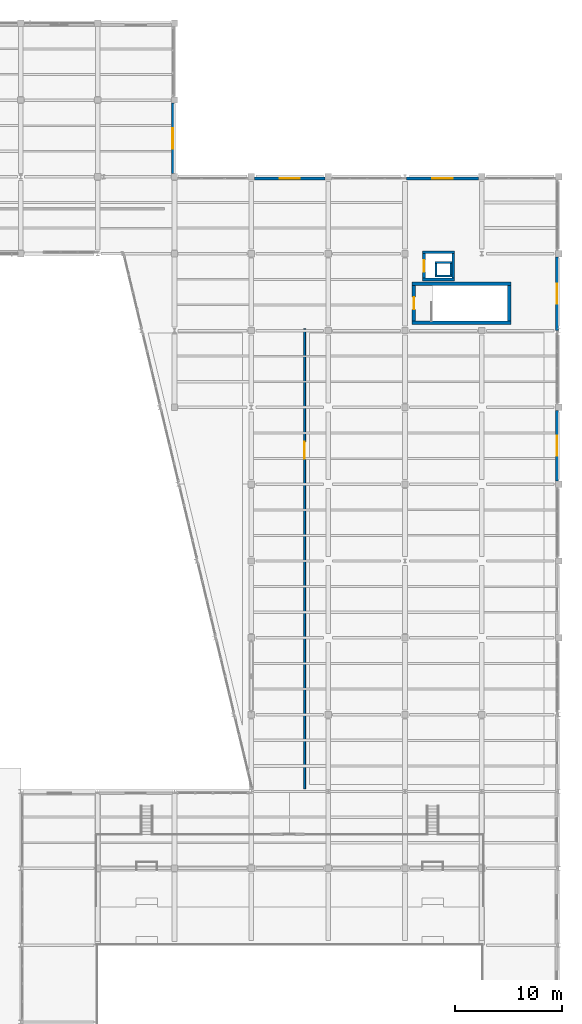
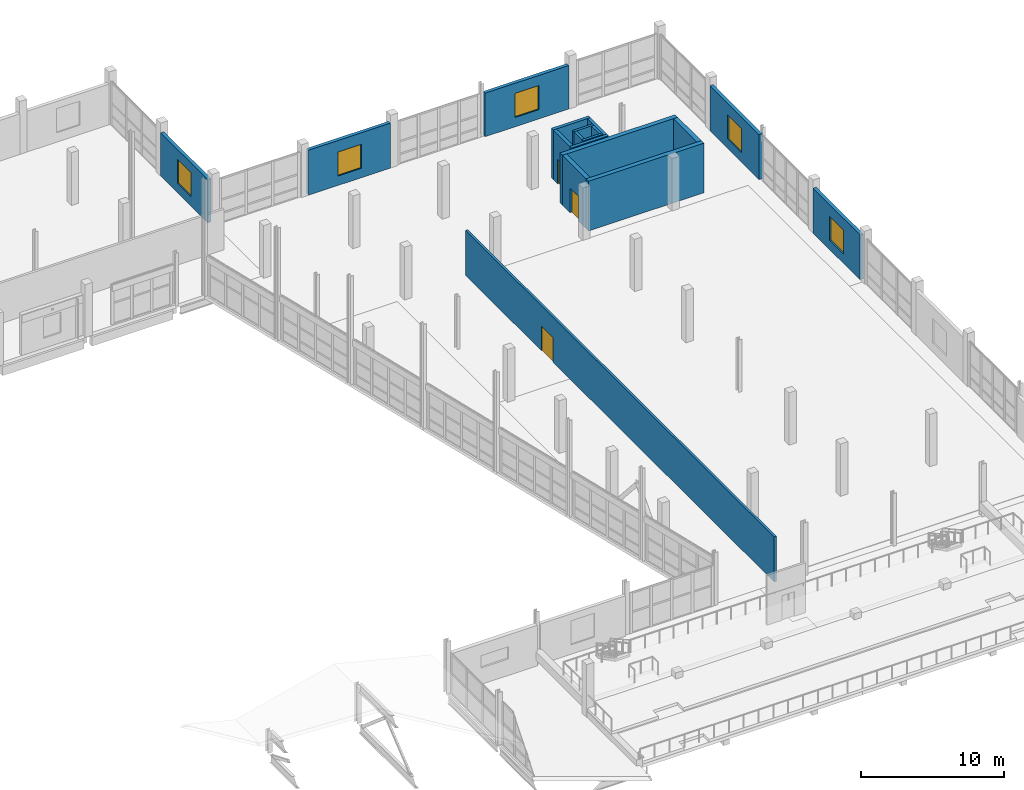
# One storey, part 98 of 123: 18 walls, 5 windows, 3 doors, 8 openings.
"""IFC4 building model written with IfcOpenShell, lengths in metres."""

from ifc_helpers import new_model, si_unit, direction, frame, frame_2d, origin, place, context, subcontext, project, spatial, rectangle, extrude, material, layer, layer_set, type_object, element, fill, save


model = new_model("IFC4")

# Units and contexts
model_context = context("Model", 3, precision=1e-05, world=origin(), true_north=direction((0.0, 1.0)))
body_context = subcontext(model_context, "Body", "Model", "MODEL_VIEW")
ifc_project = project(units=[si_unit("LENGTHUNIT", "METRE"), si_unit("AREAUNIT", "SQUARE_METRE"), si_unit("VOLUMEUNIT", "CUBIC_METRE"), si_unit("PLANEANGLEUNIT", "RADIAN"), si_unit("MASSUNIT", "GRAM", prefix="KILO")], contexts=[model_context])

# Site, building, storey
site_placement = place(None, origin())
site = spatial("IfcSite", under=ifc_project, at=site_placement, CompositionType="ELEMENT")
building_placement = place(site_placement, origin())
building = spatial("IfcBuilding", under=site, at=building_placement, Name="Kalmorath City Hall", CompositionType="ELEMENT")
storey_placement = place(building_placement, frame((0.0, 0.0, 10.199951171875)))
storey = spatial("IfcBuildingStorey", under=building, at=storey_placement, Name="L02", CompositionType="ELEMENT", Elevation=10.199951171875)

# Walls
ifc_material_1 = material(Name="Concrete C50/60", Category="concrete")
ifc_layer_1 = layer(ifc_material_1, 0.35009765625)
ifc_layer_set_1 = layer_set([ifc_layer_1], Name="Concrete C50/60")
wall_type_1 = type_object("IfcWallType", Name="Concrete core shear wall 350", PredefinedType="SHEAR", material=ifc_layer_set_1)
for number, where, z_axis, x_axis, name in (
    (1, (151.85009765625, 87.125, 0.0), (0.0, 0.0, 1.0), (1.0, 0.0, 0.0), "L02 C6 stair core shear wall S"),
    (2, (161.14990234375, 90.77490234375, 0.0), (0.0, 0.0, 1.0), (-1.0, 0.0, 0.0), "L02 C6 stair core shear wall N"),
):
    element("IfcWall", number, at=place(storey_placement, frame(where, z_axis=z_axis, x_axis=x_axis)), inside=storey, type_object=wall_type_1, Name=name, PredefinedType="SHEAR", context=body_context, shape_type="SweptSolid", body=[
        extrude(rectangle(XDim=9.2998046875, YDim=0.35009765625, at=frame_2d((4.64990234375, 0.0))), origin(), (0.0, 0.0, 1.0), 4.239990234375),
    ])

# Wall, opening, door
wall_1_placement = place(storey_placement, frame((152.02490234375, 90.60009765625, 0.0), z_axis=(0.0, 0.0, 1.0), x_axis=(0.0, -1.0, 0.0)))
wall_1 = element("IfcWall", 3, at=wall_1_placement, inside=storey, type_object=wall_type_1, Name="L02 C6 stair core shear wall W", PredefinedType="SHEAR", context=body_context, shape_type="SweptSolid", body=[
    extrude(rectangle(XDim=3.300048828125, YDim=0.35009765625, at=frame_2d((1.64990234375, 0.0))), origin(), (0.0, 0.0, 1.0), 4.239990234375),
])
opening_1_placement = place(wall_1_placement, frame((1.074951171875, 0.0, 0.0)))
opening_1 = element("IfcOpeningElement", 4, at=opening_1_placement, cuts=wall_1, Name="Opening D-L02-100", PredefinedType="OPENING", context=body_context, shape_type="SweptSolid", body=[
    extrude(rectangle(XDim=1.14990234375, YDim=2.10009765625, at=frame_2d((0.574951171875, 1.050048828125))), frame((0.0, 0.18505859375, 0.0), z_axis=(0.0, -1.0, 0.0), x_axis=(1.0, 0.0, 0.0)), (0.0, 0.0, 1.0), 0.3701171875),
])
ifc_material_2 = material(Name="Galvanised steel fire door", Category="steel")
door_type_1 = type_object("IfcDoorType", Name="Stair enclosure 90-min fire door 1150x2100", OperationType="NOTDEFINED", PredefinedType="DOOR", material=ifc_material_2)
door_1_placement = place(opening_1_placement, frame((1.14990234375, 0.0, 0.0), z_axis=(0.0, 0.0, 1.0), x_axis=(-1.0, 0.0, 0.0)))
door_1 = element("IfcDoor", 5, at=door_1_placement, inside=storey, type_object=door_type_1, Name="L02 door D-L02-100", OperationType="SINGLE_SWING_RIGHT", OverallHeight=2.10009765625, OverallWidth=1.14990234375, PredefinedType="DOOR", context=body_context, shape_type="SweptSolid", body=[
    extrude(rectangle(XDim=1.14990234375, YDim=2.10009765625, at=frame_2d((0.574951171875, 1.050048828125))), frame((0.0, 0.02490234375, 0.0), z_axis=(0.0, -1.0, 0.0), x_axis=(1.0, 0.0, 0.0)), (0.0, 0.0, 1.0), 0.050048828125),
])
fill(opening_1, door_1)

# Walls
wall_2_placement = place(storey_placement, frame((160.97509765625, 87.300048828125, 0.0), z_axis=(0.0, 0.0, 1.0), x_axis=(0.0, 1.0, 0.0)))
element("IfcWall", 6, at=wall_2_placement, inside=storey, type_object=wall_type_1, Name="L02 C6 stair core shear wall E", PredefinedType="SHEAR", context=body_context, shape_type="SweptSolid", body=[
    extrude(rectangle(XDim=3.300048828125, YDim=0.35009765625, at=frame_2d((1.64990234375, 0.0))), origin(), (0.0, 0.0, 1.0), 4.239990234375),
])
ifc_material_3 = material(Name="Concrete C50/60", Category="concrete")
ifc_layer_2 = layer(ifc_material_3, 0.25)
ifc_layer_set_2 = layer_set([ifc_layer_2], Name="Concrete C50/60")
wall_type_2 = type_object("IfcWallType", Name="Concrete lift shaft wall 250", PredefinedType="SHEAR", material=ifc_layer_set_2)
for number, where, z_axis, x_axis, name in (
    (7, (152.85009765625, 91.175048828125, 0.0), (0.0, 0.0, 1.0), (1.0, 0.0, 0.0), "L02 PL6 lift shaft wall -y"),
    (8, (155.85009765625, 93.72509765625, 0.0), (0.0, 0.0, 1.0), (-1.0, 0.0, 0.0), "L02 PL6 lift shaft wall +y"),
):
    element("IfcWall", number, at=place(storey_placement, frame(where, z_axis=z_axis, x_axis=x_axis)), inside=storey, type_object=wall_type_2, Name=name, PredefinedType="SHEAR", context=body_context, shape_type="SweptSolid", body=[
        extrude(rectangle(XDim=3.0, YDim=0.25, at=frame_2d((1.5, 0.0))), origin(), (0.0, 0.0, 1.0), 4.239990234375),
    ])

# Wall, opening, door
wall_3_placement = place(storey_placement, frame((152.97509765625, 93.60009765625, 0.0), z_axis=(0.0, 0.0, 1.0), x_axis=(0.0, -1.0, 0.0)))
wall_3 = element("IfcWall", 9, at=wall_3_placement, inside=storey, type_object=wall_type_2, Name="L02 PL6 lift shaft wall -x", PredefinedType="SHEAR", context=body_context, shape_type="SweptSolid", body=[
    extrude(rectangle(XDim=2.300048828125, YDim=0.25, at=frame_2d((1.14990234375, 0.0))), origin(), (0.0, 0.0, 1.0), 4.239990234375),
])
opening_2_placement = place(wall_3_placement, frame((0.60009765625, 0.0, 0.0)))
opening_2 = element("IfcOpeningElement", 10, at=opening_2_placement, cuts=wall_3, Name="Opening LD-103", PredefinedType="OPENING", context=body_context, shape_type="SweptSolid", body=[
    extrude(rectangle(XDim=1.10009765625, YDim=2.10009765625, at=frame_2d((0.550048828125, 1.050048828125))), frame((0.0, 0.135009765625, 0.0), z_axis=(0.0, -1.0, 0.0), x_axis=(1.0, 0.0, 0.0)), (0.0, 0.0, 1.0), 0.27001953125),
])
ifc_material_4 = material(Name="Stainless steel sliding landing door", Category="steel")
door_type_2 = type_object("IfcDoorType", Name="Passenger lift sliding landing door 1100x2100", OperationType="SLIDING_TO_LEFT", PredefinedType="DOOR", material=ifc_material_4)
door_2_placement = place(opening_2_placement, origin())
door_2 = element("IfcDoor", 11, at=door_2_placement, inside=storey, type_object=door_type_2, Name="L02 door LD-103", OperationType="SLIDING_TO_LEFT", OverallHeight=2.10009765625, OverallWidth=1.10009765625, PredefinedType="DOOR", context=body_context, shape_type="SweptSolid", body=[
    extrude(rectangle(XDim=1.10009765625, YDim=2.10009765625, at=frame_2d((0.550048828125, 1.050048828125))), frame((0.0, 0.02490234375, 0.0), z_axis=(0.0, -1.0, 0.0), x_axis=(1.0, 0.0, 0.0)), (0.0, 0.0, 1.0), 0.050048828125),
])
fill(opening_2, door_2)

# Walls
wall_4_placement = place(storey_placement, frame((155.72509765625, 91.300048828125, 0.0), z_axis=(0.0, 0.0, 1.0), x_axis=(0.0, 1.0, 0.0)))
element("IfcWall", 12, at=wall_4_placement, inside=storey, type_object=wall_type_2, Name="L02 PL6 lift shaft wall +x", PredefinedType="SHEAR", context=body_context, shape_type="SweptSolid", body=[
    extrude(rectangle(XDim=2.300048828125, YDim=0.25, at=frame_2d((1.14990234375, 0.0))), origin(), (0.0, 0.0, 1.0), 4.239990234375),
])
ifc_material_5 = material(Name="Concrete C40/50", Category="concrete")
ifc_layer_3 = layer(ifc_material_5, 0.199951171875)
ifc_layer_set_3 = layer_set([ifc_layer_3], Name="Concrete C40/50")
wall_type_3 = type_object("IfcWallType", Name="Concrete service riser wall 200", PredefinedType="SOLIDWALL", material=ifc_layer_set_3)
for number, where, z_axis, x_axis, name in (
    (13, (154.0, 91.5, 0.0), (0.0, 0.0, 1.0), (1.0, 0.0, 0.0), "L02 RSR-5 riser shaft wall S"),
    (14, (155.60009765625, 92.780029296875, 0.0), (0.0, 0.0, 1.0), (-1.0, 0.0, 0.0), "L02 RSR-5 riser shaft wall N"),
):
    element("IfcWall", number, at=place(storey_placement, frame(where, z_axis=z_axis, x_axis=x_axis)), inside=storey, type_object=wall_type_3, Name=name, PredefinedType="SOLIDWALL", context=body_context, shape_type="SweptSolid", body=[
        extrude(rectangle(XDim=1.60009765625, YDim=0.199951171875, at=frame_2d((0.800048828125, 0.0))), origin(), (0.0, 0.0, 1.0), 4.239990234375),
    ])
for number, where, z_axis, x_axis, name in (
    (15, (154.10009765625, 92.679931640625, 0.0), (0.0, 0.0, 1.0), (0.0, -1.0, 0.0), "L02 RSR-5 riser shaft wall W"),
    (16, (155.5, 91.60009765625, 0.0), (0.0, 0.0, 1.0), (0.0, 1.0, 0.0), "L02 RSR-5 riser shaft wall E"),
):
    element("IfcWall", number, at=place(storey_placement, frame(where, z_axis=z_axis, x_axis=x_axis)), inside=storey, type_object=wall_type_3, Name=name, PredefinedType="SOLIDWALL", context=body_context, shape_type="SweptSolid", body=[
        extrude(rectangle(XDim=1.079833984375, YDim=0.199951171875, at=frame_2d((0.5400390625, 0.0))), origin(), (0.0, 0.0, 1.0), 4.239990234375),
    ])

# Wall, opening, window
ifc_material_6 = material(Name="Precast concrete C40/50", Category="concrete")
ifc_layer_4 = layer(ifc_material_6, 0.27001953125)
ifc_layer_set_4 = layer_set([ifc_layer_4], Name="Precast concrete C40/50")
wall_type_4 = type_object("IfcWallType", Name="Library splayed facade wall 270", PredefinedType="SOLIDWALL", material=ifc_layer_set_4)
wall_5_placement = place(storey_placement, frame((129.43994140625, 107.698974609375, 0.0), z_axis=(0.0, 0.0, 1.0), x_axis=(0.0, -1.0, 0.0)))
wall_5 = element("IfcWall", 17, at=wall_5_placement, inside=storey, type_object=wall_type_4, Name="L02 library wall #446", PredefinedType="SOLIDWALL", context=body_context, shape_type="SweptSolid", body=[
    extrude(rectangle(XDim=6.597900390625, YDim=0.27001953125, at=frame_2d((3.298828125, 0.0))), origin(), (0.0, 0.0, 1.0), 3.696044921875),
])
opening_3_placement = place(wall_5_placement, frame((2.34912109375, 0.0, 0.800048828125)))
opening_3 = element("IfcOpeningElement", 18, at=opening_3_placement, cuts=wall_5, Name="Opening WN14", PredefinedType="OPENING", context=body_context, shape_type="SweptSolid", body=[
    extrude(rectangle(XDim=1.89990234375, YDim=2.050048828125, at=frame_2d((0.949951171875, 1.02490234375))), frame((0.0, 0.14501953125, 0.0), z_axis=(0.0, -1.0, 0.0), x_axis=(1.0, 0.0, 0.0)), (0.0, 0.0, 1.0), 0.2900390625),
])
ifc_material_7 = material(Name="Bronze-anodised aluminium and glass", Category="aluminium")
window_type = type_object("IfcWindowType", Name="Library reading alcove window 1900x2050", PartitioningType="SINGLE_PANEL", PredefinedType="WINDOW", material=ifc_material_7)
window_1_placement = place(opening_3_placement, origin())
window_1 = element("IfcWindow", 19, at=window_1_placement, inside=storey, type_object=window_type, Name="L02 window WN14-221", OverallHeight=2.050048828125, OverallWidth=1.89990234375, PartitioningType="SINGLE_PANEL", PredefinedType="WINDOW", context=body_context, shape_type="SweptSolid", body=[
    extrude(rectangle(XDim=1.89990234375, YDim=2.050048828125, at=frame_2d((0.949951171875, 1.02490234375))), frame((0.0, 0.030029296875, 0.0), z_axis=(0.0, -1.0, 0.0), x_axis=(1.0, 0.0, 0.0)), (0.0, 0.0, 1.0), 0.06005859375),
])
fill(opening_3, window_1)

wall_6_placement = place(storey_placement, frame((137.10107421875, 100.639892578125, 0.0), z_axis=(0.0, 0.0, 1.0), x_axis=(1.0, 0.0, 0.0)))
wall_6 = element("IfcWall", 20, at=wall_6_placement, inside=storey, type_object=wall_type_4, Name="L02 library wall #447", PredefinedType="SOLIDWALL", context=body_context, shape_type="SweptSolid", body=[
    extrude(rectangle(XDim=6.597900390625, YDim=0.27001953125, at=frame_2d((3.298828125, 0.0))), origin(), (0.0, 0.0, 1.0), 3.8349609375),
])
opening_4_placement = place(wall_6_placement, frame((2.34912109375, 0.0, 0.800048828125)))
opening_4 = element("IfcOpeningElement", 21, at=opening_4_placement, cuts=wall_6, Name="Opening WN14", PredefinedType="OPENING", context=body_context, shape_type="SweptSolid", body=[
    extrude(rectangle(XDim=1.89990234375, YDim=2.050048828125, at=frame_2d((0.949951171875, 1.02490234375))), frame((0.0, 0.14501953125, 0.0), z_axis=(0.0, -1.0, 0.0), x_axis=(1.0, 0.0, 0.0)), (0.0, 0.0, 1.0), 0.2900390625),
])
window_2_placement = place(opening_4_placement, origin())
window_2 = element("IfcWindow", 22, at=window_2_placement, inside=storey, type_object=window_type, Name="L02 window WN14-222", OverallHeight=2.050048828125, OverallWidth=1.89990234375, PartitioningType="SINGLE_PANEL", PredefinedType="WINDOW", context=body_context, shape_type="SweptSolid", body=[
    extrude(rectangle(XDim=1.89990234375, YDim=2.050048828125, at=frame_2d((0.949951171875, 1.02490234375))), frame((0.0, 0.030029296875, 0.0), z_axis=(0.0, -1.0, 0.0), x_axis=(1.0, 0.0, 0.0)), (0.0, 0.0, 1.0), 0.06005859375),
])
fill(opening_4, window_2)

wall_7_placement = place(storey_placement, frame((151.327880859375, 100.639892578125, 0.0), z_axis=(0.0, 0.0, 1.0), x_axis=(1.0, 0.0, 0.0)))
wall_7 = element("IfcWall", 23, at=wall_7_placement, inside=storey, type_object=wall_type_4, Name="L02 library wall #448", PredefinedType="SOLIDWALL", context=body_context, shape_type="SweptSolid", body=[
    extrude(rectangle(XDim=6.771240234375, YDim=0.27001953125, at=frame_2d((3.3857421875, 0.0))), origin(), (0.0, 0.0, 1.0), 3.715087890625),
])
opening_5_placement = place(wall_7_placement, frame((2.435546875, 0.0, 0.800048828125)))
opening_5 = element("IfcOpeningElement", 24, at=opening_5_placement, cuts=wall_7, Name="Opening WN14", PredefinedType="OPENING", context=body_context, shape_type="SweptSolid", body=[
    extrude(rectangle(XDim=1.89990234375, YDim=2.050048828125, at=frame_2d((0.949951171875, 1.02490234375))), frame((0.0, 0.14501953125, 0.0), z_axis=(0.0, -1.0, 0.0), x_axis=(1.0, 0.0, 0.0)), (0.0, 0.0, 1.0), 0.2900390625),
])
window_3_placement = place(opening_5_placement, origin())
window_3 = element("IfcWindow", 25, at=window_3_placement, inside=storey, type_object=window_type, Name="L02 window WN14-223", OverallHeight=2.050048828125, OverallWidth=1.89990234375, PartitioningType="SINGLE_PANEL", PredefinedType="WINDOW", context=body_context, shape_type="SweptSolid", body=[
    extrude(rectangle(XDim=1.89990234375, YDim=2.050048828125, at=frame_2d((0.949951171875, 1.02490234375))), frame((0.0, 0.030029296875, 0.0), z_axis=(0.0, -1.0, 0.0), x_axis=(1.0, 0.0, 0.0)), (0.0, 0.0, 1.0), 0.06005859375),
])
fill(opening_5, window_3)

wall_8_placement = place(storey_placement, frame((165.43994140625, 93.299072265625, 0.0), z_axis=(0.0, 0.0, 1.0), x_axis=(0.0, -1.0, 0.0)))
wall_8 = element("IfcWall", 26, at=wall_8_placement, inside=storey, type_object=wall_type_4, Name="L02 library wall #449", PredefinedType="SOLIDWALL", context=body_context, shape_type="SweptSolid", body=[
    extrude(rectangle(XDim=6.899169921875, YDim=0.27001953125, at=frame_2d((3.44970703125, 0.0))), origin(), (0.0, 0.0, 1.0), 3.8349609375),
])
opening_6_placement = place(wall_8_placement, frame((2.49951171875, 0.0, 0.800048828125)))
opening_6 = element("IfcOpeningElement", 27, at=opening_6_placement, cuts=wall_8, Name="Opening WN14", PredefinedType="OPENING", context=body_context, shape_type="SweptSolid", body=[
    extrude(rectangle(XDim=1.89990234375, YDim=2.050048828125, at=frame_2d((0.949951171875, 1.02490234375))), frame((0.0, 0.14501953125, 0.0), z_axis=(0.0, -1.0, 0.0), x_axis=(1.0, 0.0, 0.0)), (0.0, 0.0, 1.0), 0.2900390625),
])
window_4_placement = place(opening_6_placement, origin())
window_4 = element("IfcWindow", 28, at=window_4_placement, inside=storey, type_object=window_type, Name="L02 window WN14-224", OverallHeight=2.050048828125, OverallWidth=1.89990234375, PartitioningType="SINGLE_PANEL", PredefinedType="WINDOW", context=body_context, shape_type="SweptSolid", body=[
    extrude(rectangle(XDim=1.89990234375, YDim=2.050048828125, at=frame_2d((0.949951171875, 1.02490234375))), frame((0.0, 0.030029296875, 0.0), z_axis=(0.0, -1.0, 0.0), x_axis=(1.0, 0.0, 0.0)), (0.0, 0.0, 1.0), 0.06005859375),
])
fill(opening_6, window_4)

wall_9_placement = place(storey_placement, frame((165.43994140625, 78.89892578125, 0.0), z_axis=(0.0, 0.0, 1.0), x_axis=(0.0, -1.0, 0.0)))
wall_9 = element("IfcWall", 29, at=wall_9_placement, inside=storey, type_object=wall_type_4, Name="L02 library wall #450", PredefinedType="SOLIDWALL", context=body_context, shape_type="SweptSolid", body=[
    extrude(rectangle(XDim=6.597900390625, YDim=0.27001953125, at=frame_2d((3.298828125, 0.0))), origin(), (0.0, 0.0, 1.0), 3.8349609375),
])
opening_7_placement = place(wall_9_placement, frame((2.34912109375, 0.0, 0.800048828125)))
opening_7 = element("IfcOpeningElement", 30, at=opening_7_placement, cuts=wall_9, Name="Opening WN14", PredefinedType="OPENING", context=body_context, shape_type="SweptSolid", body=[
    extrude(rectangle(XDim=1.89990234375, YDim=2.050048828125, at=frame_2d((0.949951171875, 1.02490234375))), frame((0.0, 0.14501953125, 0.0), z_axis=(0.0, -1.0, 0.0), x_axis=(1.0, 0.0, 0.0)), (0.0, 0.0, 1.0), 0.2900390625),
])
window_5_placement = place(opening_7_placement, origin())
window_5 = element("IfcWindow", 31, at=window_5_placement, inside=storey, type_object=window_type, Name="L02 window WN14-225", OverallHeight=2.050048828125, OverallWidth=1.89990234375, PartitioningType="SINGLE_PANEL", PredefinedType="WINDOW", context=body_context, shape_type="SweptSolid", body=[
    extrude(rectangle(XDim=1.89990234375, YDim=2.050048828125, at=frame_2d((0.949951171875, 1.02490234375))), frame((0.0, 0.030029296875, 0.0), z_axis=(0.0, -1.0, 0.0), x_axis=(1.0, 0.0, 0.0)), (0.0, 0.0, 1.0), 0.06005859375),
])
fill(opening_7, window_5)

# Wall, opening, door
ifc_material_8 = material(Name="Fire-rated acoustic gypsum partition")
ifc_layer_5 = layer(ifc_material_8, 0.179931640625)
ifc_layer_set_5 = layer_set([ifc_layer_5], Name="Fire-rated acoustic gypsum partition")
wall_type_5 = type_object("IfcWallType", Name="One-hour corridor fire partition 180", PredefinedType="PARTITIONING", material=ifc_layer_set_5)
wall_10_placement = place(storey_placement, frame((141.800048828125, 43.43994140625, 0.0), z_axis=(0.0, 0.0, 1.0), x_axis=(0.0, 1.0, 0.0)))
wall_10 = element("IfcWall", 32, at=wall_10_placement, inside=storey, type_object=wall_type_5, Name="L02 interior partition PW2 #120", PredefinedType="PARTITIONING", context=body_context, shape_type="SweptSolid", body=[
    extrude(rectangle(XDim=43.1201171875, YDim=0.179931640625, at=frame_2d((21.56005859375, 0.0))), origin(), (0.0, 0.0, 1.0), 3.8349609375),
])
opening_8_placement = place(wall_10_placement, frame((30.929931640625, 0.0, 0.0)))
opening_8 = element("IfcOpeningElement", 33, at=opening_8_placement, cuts=wall_10, Name="Opening D-L02-198", PredefinedType="OPENING", context=body_context, shape_type="SweptSolid", body=[
    extrude(rectangle(XDim=1.60009765625, YDim=2.10009765625, at=frame_2d((0.800048828125, 1.050048828125))), frame((0.0, 0.099853515625, 0.0), z_axis=(0.0, -1.0, 0.0), x_axis=(1.0, 0.0, 0.0)), (0.0, 0.0, 1.0), 0.199951171875),
])
ifc_material_9 = material(Name="Acoustic hardwood fire door", Category="wood")
door_type_3 = type_object("IfcDoorType", Name="Committee double fire door 1600x2100", OperationType="DOUBLE_DOOR_SINGLE_SWING", PredefinedType="DOOR", material=ifc_material_9)
door_3_placement = place(opening_8_placement, origin())
door_3 = element("IfcDoor", 34, at=door_3_placement, inside=storey, type_object=door_type_3, Name="L02 door D-L02-198", OperationType="DOUBLE_DOOR_SINGLE_SWING", OverallHeight=2.10009765625, OverallWidth=1.60009765625, PredefinedType="DOOR", context=body_context, shape_type="SweptSolid", body=[
    extrude(rectangle(XDim=1.60009765625, YDim=2.10009765625, at=frame_2d((0.800048828125, 1.050048828125))), frame((0.0, 0.02490234375, 0.0), z_axis=(0.0, -1.0, 0.0), x_axis=(1.0, 0.0, 0.0)), (0.0, 0.0, 1.0), 0.050048828125),
])
fill(opening_8, door_3)

save(model, "model.ifc")
